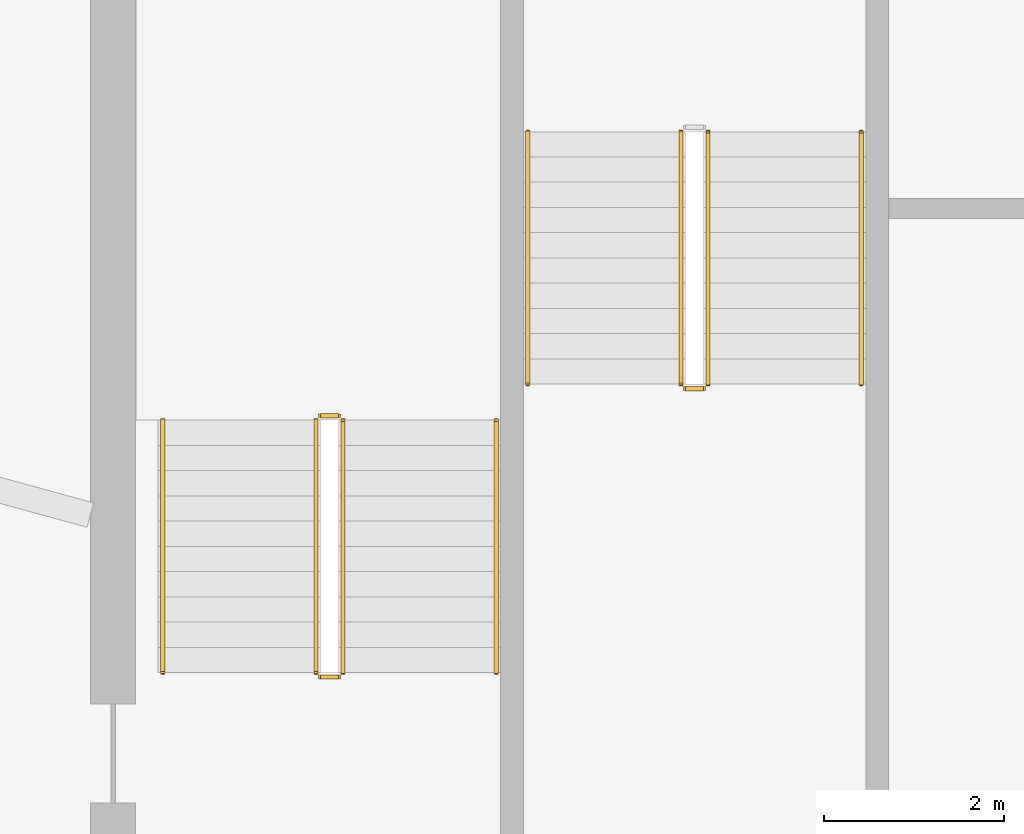
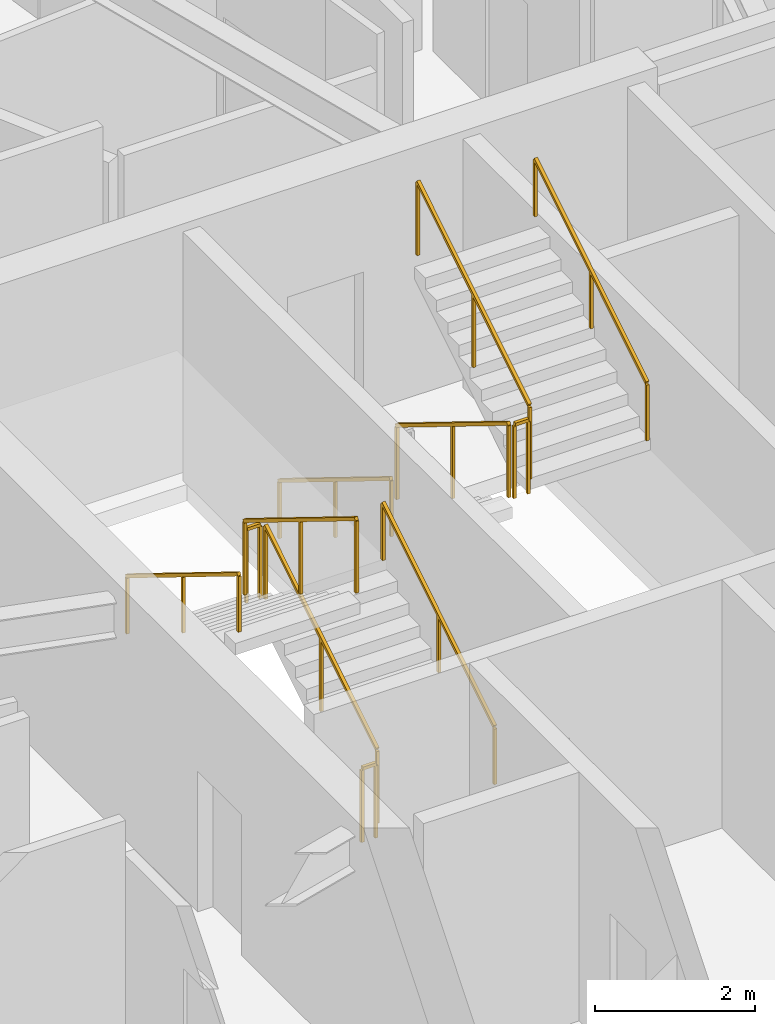
# One storey, part 17 of 19: 11 railings.
"""IFC4 building model written with IfcOpenShell, lengths in metres."""

from ifc_helpers import new_model, si_unit, direction, frame, origin, origin_2d, place, context, subcontext, project, spatial, rectangle, extrude, material, type_object, element, save


model = new_model("IFC4")

# Units and contexts
model_context = context("Model", 3, precision=1e-05, world=origin(), true_north=direction((0.0, 1.0)))
body_context = subcontext(model_context, "Body", "Model", "MODEL_VIEW")
ifc_project = project(units=[si_unit("LENGTHUNIT", "METRE"), si_unit("AREAUNIT", "SQUARE_METRE"), si_unit("VOLUMEUNIT", "CUBIC_METRE"), si_unit("PLANEANGLEUNIT", "RADIAN"), si_unit("MASSUNIT", "GRAM", prefix="KILO")], contexts=[model_context])

# Site, building, storey
site_placement = place(None, origin())
site = spatial("IfcSite", under=ifc_project, at=site_placement, CompositionType="ELEMENT")
building_placement = place(site_placement, origin())
building = spatial("IfcBuilding", under=site, at=building_placement, Name="Zuhravey Tower", CompositionType="ELEMENT")
storey_placement = place(building_placement, frame((0.0, 0.0, 327.199951171875)))
storey = spatial("IfcBuildingStorey", under=building, at=storey_placement, Name="L83", CompositionType="ELEMENT", Elevation=327.199951171875)

# Railings
ifc_material_1 = material(Name="Brushed stainless steel", Category="steel")
railing_type_1 = type_object("IfcRailingType", Name="Stair Wall Handrail 900", PredefinedType="HANDRAIL", material=ifc_material_1)
railing_1_placement = place(storey_placement, frame((29.75, 33.199951171875, 0.1728515625)))
element("IfcRailing", 1, at=railing_1_placement, inside=storey, type_object=railing_type_1, Name="L83 ST1 stair handrail 1", PredefinedType="HANDRAIL", context=body_context, shape_type="SweptSolid", body=[
    extrude(rectangle(XDim=0.048095703125, YDim=0.048095703125, at=origin_2d()), frame((0.0, 0.001708984375, 0.876953125), z_axis=(0.0, 0.851089632645, 0.525020415988), x_axis=(-1.0, 0.0, 0.0)), (0.0, 0.0, 1.0), 3.285888671875),
    extrude(rectangle(XDim=0.0419921875, YDim=0.0419921875, at=origin_2d()), origin(), (0.0, 0.0, 1.0), 0.849853515625),
    extrude(rectangle(XDim=0.0419921875, YDim=0.0419921875, at=origin_2d()), frame((0.0, 1.39990234375, 0.86376953125)), (0.0, 0.0, 1.0), 0.849853515625),
    extrude(rectangle(XDim=0.0419921875, YDim=0.0419921875, at=origin_2d()), frame((0.0, 2.800048828125, 1.727294921875)), (0.0, 0.0, 1.0), 0.849853515625),
])
for number, where, name in (
    (2, (26.050048828125, 36.0, 2.07275390625), "L83 ST1 stair handrail 2"),
    (3, (30.10009765625, 39.199951171875, 0.1728515625), "L83 ST3 stair handrail 1"),
):
    element("IfcRailing", number, at=place(storey_placement, frame(where)), inside=storey, type_object=railing_type_1, Name=name, PredefinedType="HANDRAIL", context=body_context, shape_type="SweptSolid", body=[
        extrude(rectangle(XDim=0.048095703125, YDim=0.048095703125, at=origin_2d()), frame((0.0, -0.001708984375, 0.876953125), z_axis=(0.0, -0.851089632645, 0.525020415988), x_axis=(1.0, 0.0, 0.0)), (0.0, 0.0, 1.0), 3.285888671875),
        extrude(rectangle(XDim=0.0419921875, YDim=0.0419921875, at=origin_2d()), origin(), (0.0, 0.0, 1.0), 0.849853515625),
        extrude(rectangle(XDim=0.0419921875, YDim=0.0419921875, at=origin_2d()), frame((0.0, -1.39990234375, 0.86376953125)), (0.0, 0.0, 1.0), 0.849853515625),
        extrude(rectangle(XDim=0.0419921875, YDim=0.0419921875, at=origin_2d()), frame((0.0, -2.800048828125, 1.727294921875)), (0.0, 0.0, 1.0), 0.849853515625),
    ])
railing_2_placement = place(storey_placement, frame((33.800048828125, 36.39990234375, 2.07275390625)))
element("IfcRailing", 4, at=railing_2_placement, inside=storey, type_object=railing_type_1, Name="L83 ST3 stair handrail 2", PredefinedType="HANDRAIL", context=body_context, shape_type="SweptSolid", body=[
    extrude(rectangle(XDim=0.048095703125, YDim=0.048095703125, at=origin_2d()), frame((0.0, 0.001708984375, 0.876953125), z_axis=(0.0, 0.851089632645, 0.525020415988), x_axis=(-1.0, 0.0, 0.0)), (0.0, 0.0, 1.0), 3.285888671875),
    extrude(rectangle(XDim=0.0419921875, YDim=0.0419921875, at=origin_2d()), origin(), (0.0, 0.0, 1.0), 0.849853515625),
    extrude(rectangle(XDim=0.0419921875, YDim=0.0419921875, at=origin_2d()), frame((0.0, 1.39990234375, 0.86376953125)), (0.0, 0.0, 1.0), 0.849853515625),
    extrude(rectangle(XDim=0.0419921875, YDim=0.0419921875, at=origin_2d()), frame((0.0, 2.800048828125, 1.727294921875)), (0.0, 0.0, 1.0), 0.849853515625),
])
ifc_material_2 = material(Name="Painted tubular steel", Category="steel")
railing_type_2 = type_object("IfcRailingType", Name="Stair Well Guardrail 1150", PredefinedType="GUARDRAIL", material=ifc_material_2)
railing_3_placement = place(storey_placement, frame((28.050048828125, 33.199951171875, 0.1728515625)))
element("IfcRailing", 5, at=railing_3_placement, inside=storey, type_object=railing_type_2, Name="L83 ST1 stair guard 1", PredefinedType="GUARDRAIL", context=body_context, shape_type="SweptSolid", body=[
    extrude(rectangle(XDim=0.048095703125, YDim=0.048095703125, at=origin_2d()), frame((0.0, 0.001708984375, 1.126953125), z_axis=(0.0, 0.851089632645, 0.525020415988), x_axis=(-1.0, 0.0, 0.0)), (0.0, 0.0, 1.0), 3.285888671875),
    extrude(rectangle(XDim=0.0419921875, YDim=0.0419921875, at=origin_2d()), origin(), (0.0, 0.0, 1.0), 1.099853515625),
    extrude(rectangle(XDim=0.0419921875, YDim=0.0419921875, at=origin_2d()), frame((0.0, 1.39990234375, 0.86376953125)), (0.0, 0.0, 1.0), 1.099853515625),
    extrude(rectangle(XDim=0.0419921875, YDim=0.0419921875, at=origin_2d()), frame((0.0, 2.800048828125, 1.727294921875)), (0.0, 0.0, 1.0), 1.099853515625),
])
railing_4_placement = place(storey_placement, frame((28.0, 36.050048828125, 1.900146484375)))
element("IfcRailing", 6, at=railing_4_placement, inside=storey, type_object=railing_type_2, Name="L83 ST1 stair guard 2", PredefinedType="GUARDRAIL", context=body_context, shape_type="SweptSolid", body=[
    extrude(rectangle(XDim=0.048095703125, YDim=0.048095703125, at=origin_2d()), frame((-0.001953125, 0.0, 1.1259765625), z_axis=(-1.0, 0.0, 0.0), x_axis=(0.0, -1.0, 0.0)), (0.0, 0.0, 1.0), 0.196044921875),
    extrude(rectangle(XDim=0.0419921875, YDim=0.0419921875, at=origin_2d()), origin(), (0.0, 0.0, 1.0), 1.099853515625),
    extrude(rectangle(XDim=0.0419921875, YDim=0.0419921875, at=origin_2d()), frame((-0.199951171875, 0.0, 0.0)), (0.0, 0.0, 1.0), 1.099853515625),
])
railing_5_placement = place(storey_placement, frame((27.75, 36.0, 2.07275390625)))
element("IfcRailing", 7, at=railing_5_placement, inside=storey, type_object=railing_type_2, Name="L83 ST1 stair guard 3", PredefinedType="GUARDRAIL", context=body_context, shape_type="SweptSolid", body=[
    extrude(rectangle(XDim=0.048095703125, YDim=0.048095703125, at=origin_2d()), frame((0.0, -0.001708984375, 1.126953125), z_axis=(0.0, -0.851089632645, 0.525020415988), x_axis=(1.0, 0.0, 0.0)), (0.0, 0.0, 1.0), 3.285888671875),
    extrude(rectangle(XDim=0.0419921875, YDim=0.0419921875, at=origin_2d()), origin(), (0.0, 0.0, 1.0), 1.099853515625),
    extrude(rectangle(XDim=0.0419921875, YDim=0.0419921875, at=origin_2d()), frame((0.0, -1.39990234375, 0.86376953125)), (0.0, 0.0, 1.0), 1.099853515625),
    extrude(rectangle(XDim=0.0419921875, YDim=0.0419921875, at=origin_2d()), frame((0.0, -2.800048828125, 1.727294921875)), (0.0, 0.0, 1.0), 1.099853515625),
])
railing_6_placement = place(storey_placement, frame((28.0, 33.14990234375, 0.0)))
element("IfcRailing", 8, at=railing_6_placement, inside=storey, type_object=railing_type_2, Name="L83 ST1 stair guard 4", PredefinedType="GUARDRAIL", context=body_context, shape_type="SweptSolid", body=[
    extrude(rectangle(XDim=0.048095703125, YDim=0.048095703125, at=origin_2d()), frame((-0.001953125, 0.0, 1.1259765625), z_axis=(-1.0, 0.0, 0.0), x_axis=(0.0, -1.0, 0.0)), (0.0, 0.0, 1.0), 0.196044921875),
    extrude(rectangle(XDim=0.0419921875, YDim=0.0419921875, at=origin_2d()), origin(), (0.0, 0.0, 1.0), 1.099853515625),
    extrude(rectangle(XDim=0.0419921875, YDim=0.0419921875, at=origin_2d()), frame((-0.199951171875, 0.0, 0.0)), (0.0, 0.0, 1.0), 1.099853515625),
])
railing_7_placement = place(storey_placement, frame((31.800048828125, 39.199951171875, 0.1728515625)))
element("IfcRailing", 9, at=railing_7_placement, inside=storey, type_object=railing_type_2, Name="L83 ST3 stair guard 1", PredefinedType="GUARDRAIL", context=body_context, shape_type="SweptSolid", body=[
    extrude(rectangle(XDim=0.048095703125, YDim=0.048095703125, at=origin_2d()), frame((0.0, -0.001708984375, 1.126953125), z_axis=(0.0, -0.851089632645, 0.525020415988), x_axis=(1.0, 0.0, 0.0)), (0.0, 0.0, 1.0), 3.285888671875),
    extrude(rectangle(XDim=0.0419921875, YDim=0.0419921875, at=origin_2d()), origin(), (0.0, 0.0, 1.0), 1.099853515625),
    extrude(rectangle(XDim=0.0419921875, YDim=0.0419921875, at=origin_2d()), frame((0.0, -1.39990234375, 0.86376953125)), (0.0, 0.0, 1.0), 1.099853515625),
    extrude(rectangle(XDim=0.0419921875, YDim=0.0419921875, at=origin_2d()), frame((0.0, -2.800048828125, 1.727294921875)), (0.0, 0.0, 1.0), 1.099853515625),
])
railing_8_placement = place(storey_placement, frame((31.85009765625, 36.35009765625, 1.900146484375)))
element("IfcRailing", 10, at=railing_8_placement, inside=storey, type_object=railing_type_2, Name="L83 ST3 stair guard 2", PredefinedType="GUARDRAIL", context=body_context, shape_type="SweptSolid", body=[
    extrude(rectangle(XDim=0.048095703125, YDim=0.048095703125, at=origin_2d()), frame((0.001953125, 0.0, 1.1259765625), z_axis=(1.0, 0.0, 0.0), x_axis=(0.0, 1.0, 0.0)), (0.0, 0.0, 1.0), 0.196044921875),
    extrude(rectangle(XDim=0.0419921875, YDim=0.0419921875, at=origin_2d()), origin(), (0.0, 0.0, 1.0), 1.099853515625),
    extrude(rectangle(XDim=0.0419921875, YDim=0.0419921875, at=origin_2d()), frame((0.199951171875, 0.0, 0.0)), (0.0, 0.0, 1.0), 1.099853515625),
])
railing_9_placement = place(storey_placement, frame((32.10009765625, 36.39990234375, 2.07275390625)))
element("IfcRailing", 11, at=railing_9_placement, inside=storey, type_object=railing_type_2, Name="L83 ST3 stair guard 3", PredefinedType="GUARDRAIL", context=body_context, shape_type="SweptSolid", body=[
    extrude(rectangle(XDim=0.048095703125, YDim=0.048095703125, at=origin_2d()), frame((0.0, 0.001708984375, 1.126953125), z_axis=(0.0, 0.851089632645, 0.525020415988), x_axis=(-1.0, 0.0, 0.0)), (0.0, 0.0, 1.0), 3.285888671875),
    extrude(rectangle(XDim=0.0419921875, YDim=0.0419921875, at=origin_2d()), origin(), (0.0, 0.0, 1.0), 1.099853515625),
    extrude(rectangle(XDim=0.0419921875, YDim=0.0419921875, at=origin_2d()), frame((0.0, 1.39990234375, 0.86376953125)), (0.0, 0.0, 1.0), 1.099853515625),
    extrude(rectangle(XDim=0.0419921875, YDim=0.0419921875, at=origin_2d()), frame((0.0, 2.800048828125, 1.727294921875)), (0.0, 0.0, 1.0), 1.099853515625),
])

save(model, "model.ifc")
